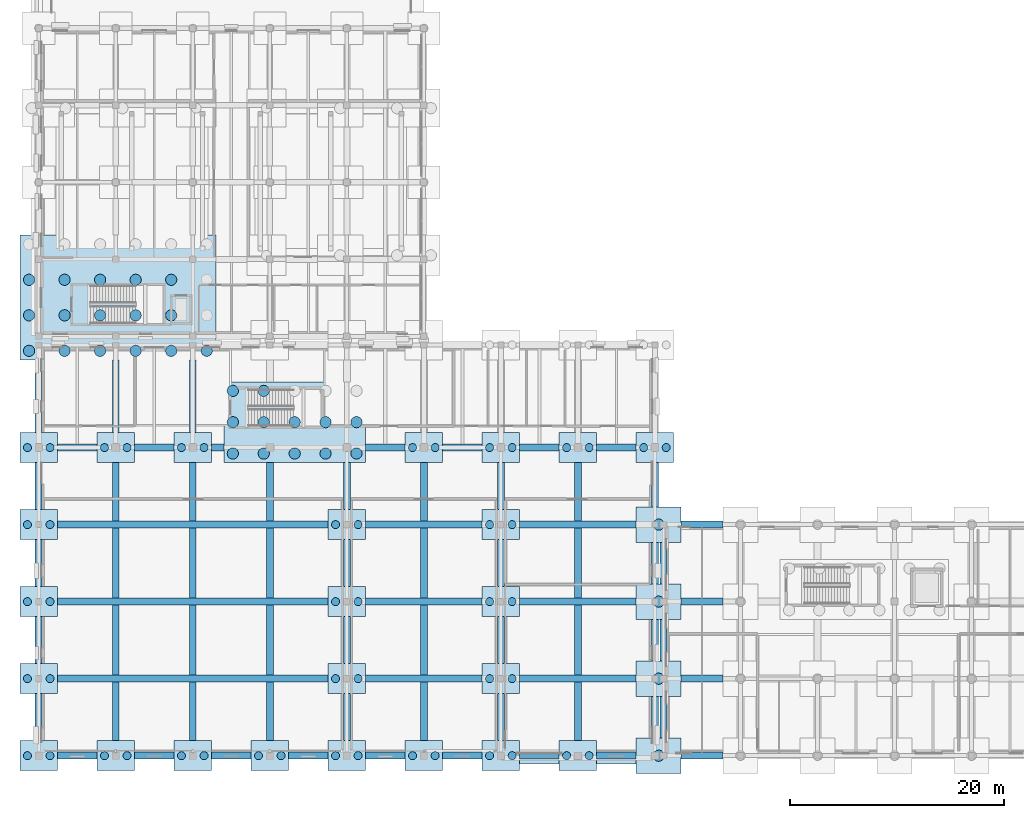
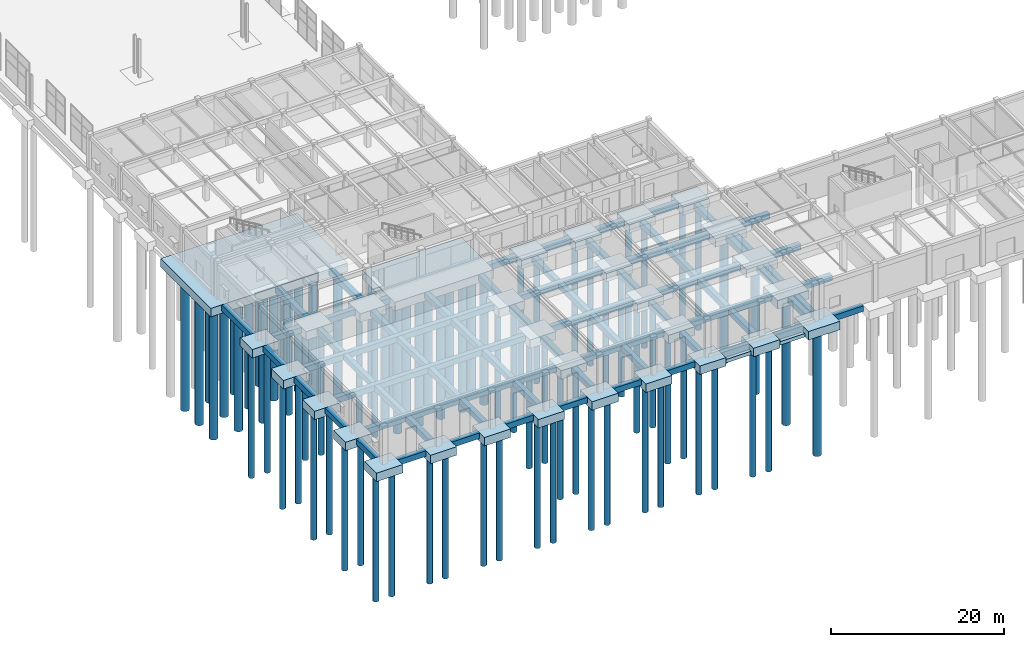
# One storey, part 1 of 91: 86 footings, 80 piles.
"""IFC4 building model written with IfcOpenShell, lengths in metres."""

from ifc_helpers import new_model, si_unit, direction, frame, origin, origin_2d, place, context, subcontext, project, spatial, rectangle, circle, extrude, material, material_profile, profile_set, type_object, element, save


model = new_model("IFC4")

# Units and contexts
model_context = context("Model", 3, precision=1e-05, world=origin(), true_north=direction((0.0, 1.0)))
body_context = subcontext(model_context, "Body", "Model", "MODEL_VIEW")
ifc_project = project(units=[si_unit("LENGTHUNIT", "METRE"), si_unit("AREAUNIT", "SQUARE_METRE"), si_unit("VOLUMEUNIT", "CUBIC_METRE"), si_unit("PLANEANGLEUNIT", "RADIAN"), si_unit("MASSUNIT", "GRAM", prefix="KILO")], contexts=[model_context])

# Site, building, storey
site_placement = place(None, origin())
site = spatial("IfcSite", under=ifc_project, at=site_placement, CompositionType="ELEMENT")
building_placement = place(site_placement, origin())
building = spatial("IfcBuilding", under=site, at=building_placement, Name="Bramveld Media Centre", CompositionType="ELEMENT")
storey_placement = place(building_placement, origin())
storey = spatial("IfcBuildingStorey", under=building, at=storey_placement, Name="L00", CompositionType="ELEMENT", Elevation=0.0)

# Footings
ifc_material_1 = material(Name="Concrete C35/45", Category="concrete")
footing_type_1 = type_object("IfcFootingType", Name="FTG-STRIP-1100x500", PredefinedType="STRIP_FOOTING", material=ifc_material_1)
footing_1_placement = place(storey_placement, frame((50.300048828125, -0.219970703125, -1.300048828125), z_axis=(0.0, 0.0, 1.0), x_axis=(1.0, 0.0, 0.0)))
element("IfcFooting", 1, at=footing_1_placement, inside=storey, type_object=footing_type_1, Name="Retaining wall strip footing RW-APRON-01", PredefinedType="STRIP_FOOTING", context=body_context, shape_type="SweptSolid", body=[
    extrude(rectangle(XDim=14.39990234375, YDim=1.10009765625, at=origin_2d()), origin(), (0.0, 0.0, 1.0), 0.5),
])
ifc_material_2 = material(Name="Concrete C35/45", Category="concrete")
footing_type_2 = type_object("IfcFootingType", Name="GB-650x800", PredefinedType="FOOTING_BEAM", material=ifc_material_2)
for number, where, z_axis, x_axis, name in (
    (2, (3.60009765625, 0.0, -0.7998046875), (0.0, 0.0, 1.0), (1.0, 0.0, 0.0), "V2 ground beam X-58"),
    (3, (10.800048828125, 0.0, -0.7998046875), (0.0, 0.0, 1.0), (1.0, 0.0, 0.0), "V2 ground beam X-59"),
    (4, (18.0, 0.0, -0.7998046875), (0.0, 0.0, 1.0), (1.0, 0.0, 0.0), "V2 ground beam X-60"),
    (5, (25.199951171875, 0.0, -0.7998046875), (0.0, 0.0, 1.0), (1.0, 0.0, 0.0), "V2 ground beam X-61"),
    (6, (32.39990234375, 0.0, -0.7998046875), (0.0, 0.0, 1.0), (1.0, 0.0, 0.0), "V2 ground beam X-62"),
    (7, (39.60009765625, 0.0, -0.7998046875), (0.0, 0.0, 1.0), (1.0, 0.0, 0.0), "V2 ground beam X-63"),
    (8, (46.800048828125, 0.0, -0.7998046875), (0.0, 0.0, 1.0), (1.0, 0.0, 0.0), "V2 ground beam X-64"),
    (9, (54.0, 0.0, -0.7998046875), (0.0, 0.0, 1.0), (1.0, 0.0, 0.0), "V2 ground beam X-65"),
):
    element("IfcFooting", number, at=place(storey_placement, frame(where, z_axis=z_axis, x_axis=x_axis)), inside=storey, type_object=footing_type_2, Name=name, PredefinedType="FOOTING_BEAM", context=body_context, shape_type="SweptSolid", body=[
        extrude(rectangle(XDim=3.699951171875, YDim=0.64990234375, at=origin_2d()), origin(), (0.0, 0.0, 1.0), 0.800048828125),
    ])
footing_2_placement = place(storey_placement, frame((14.39990234375, 7.199951171875, -0.7998046875), z_axis=(0.0, 0.0, 1.0), x_axis=(1.0, 0.0, 0.0)))
element("IfcFooting", 10, at=footing_2_placement, inside=storey, type_object=footing_type_2, Name="V2 ground beam X-66", PredefinedType="FOOTING_BEAM", context=body_context, shape_type="SweptSolid", body=[
    extrude(rectangle(XDim=25.300048828125, YDim=0.64990234375, at=origin_2d()), origin(), (0.0, 0.0, 1.0), 0.800048828125),
])
for number, where, z_axis, x_axis, name in (
    (11, (36.0, 7.199951171875, -0.7998046875), (0.0, 0.0, 1.0), (1.0, 0.0, 0.0), "V2 ground beam X-67"),
    (12, (50.39990234375, 7.199951171875, -0.7998046875), (0.0, 0.0, 1.0), (1.0, 0.0, 0.0), "V2 ground beam X-68"),
):
    element("IfcFooting", number, at=place(storey_placement, frame(where, z_axis=z_axis, x_axis=x_axis)), inside=storey, type_object=footing_type_2, Name=name, PredefinedType="FOOTING_BEAM", context=body_context, shape_type="SweptSolid", body=[
        extrude(rectangle(XDim=10.89990234375, YDim=0.64990234375, at=origin_2d()), origin(), (0.0, 0.0, 1.0), 0.800048828125),
    ])
footing_3_placement = place(storey_placement, frame((14.39990234375, 14.39990234375, -0.7998046875), z_axis=(0.0, 0.0, 1.0), x_axis=(1.0, 0.0, 0.0)))
element("IfcFooting", 13, at=footing_3_placement, inside=storey, type_object=footing_type_2, Name="V2 ground beam X-69", PredefinedType="FOOTING_BEAM", context=body_context, shape_type="SweptSolid", body=[
    extrude(rectangle(XDim=25.300048828125, YDim=0.64990234375, at=origin_2d()), origin(), (0.0, 0.0, 1.0), 0.800048828125),
])
for number, where, z_axis, x_axis, name in (
    (14, (36.0, 14.39990234375, -0.7998046875), (0.0, 0.0, 1.0), (1.0, 0.0, 0.0), "V2 ground beam X-70"),
    (15, (50.39990234375, 14.39990234375, -0.7998046875), (0.0, 0.0, 1.0), (1.0, 0.0, 0.0), "V2 ground beam X-71"),
):
    element("IfcFooting", number, at=place(storey_placement, frame(where, z_axis=z_axis, x_axis=x_axis)), inside=storey, type_object=footing_type_2, Name=name, PredefinedType="FOOTING_BEAM", context=body_context, shape_type="SweptSolid", body=[
        extrude(rectangle(XDim=10.89990234375, YDim=0.64990234375, at=origin_2d()), origin(), (0.0, 0.0, 1.0), 0.800048828125),
    ])
footing_4_placement = place(storey_placement, frame((14.39990234375, 21.60009765625, -0.7998046875), z_axis=(0.0, 0.0, 1.0), x_axis=(1.0, 0.0, 0.0)))
element("IfcFooting", 16, at=footing_4_placement, inside=storey, type_object=footing_type_2, Name="V2 ground beam X-72", PredefinedType="FOOTING_BEAM", context=body_context, shape_type="SweptSolid", body=[
    extrude(rectangle(XDim=25.300048828125, YDim=0.64990234375, at=origin_2d()), origin(), (0.0, 0.0, 1.0), 0.800048828125),
])
for number, where, z_axis, x_axis, name in (
    (17, (36.0, 21.60009765625, -0.7998046875), (0.0, 0.0, 1.0), (1.0, 0.0, 0.0), "V2 ground beam X-73"),
    (18, (50.39990234375, 21.60009765625, -0.7998046875), (0.0, 0.0, 1.0), (1.0, 0.0, 0.0), "V2 ground beam X-74"),
):
    element("IfcFooting", number, at=place(storey_placement, frame(where, z_axis=z_axis, x_axis=x_axis)), inside=storey, type_object=footing_type_2, Name=name, PredefinedType="FOOTING_BEAM", context=body_context, shape_type="SweptSolid", body=[
        extrude(rectangle(XDim=10.89990234375, YDim=0.64990234375, at=origin_2d()), origin(), (0.0, 0.0, 1.0), 0.800048828125),
    ])
for number, where, z_axis, x_axis, name in (
    (19, (3.60009765625, 28.800048828125, -0.7998046875), (0.0, 0.0, 1.0), (1.0, 0.0, 0.0), "V2 ground beam X-75"),
    (20, (10.800048828125, 28.800048828125, -0.7998046875), (0.0, 0.0, 1.0), (1.0, 0.0, 0.0), "V2 ground beam X-76"),
):
    element("IfcFooting", number, at=place(storey_placement, frame(where, z_axis=z_axis, x_axis=x_axis)), inside=storey, type_object=footing_type_2, Name=name, PredefinedType="FOOTING_BEAM", context=body_context, shape_type="SweptSolid", body=[
        extrude(rectangle(XDim=3.699951171875, YDim=0.64990234375, at=origin_2d()), origin(), (0.0, 0.0, 1.0), 0.800048828125),
    ])
footing_5_placement = place(storey_placement, frame((16.72509765625, 28.800048828125, -0.7998046875), z_axis=(0.0, 0.0, 1.0), x_axis=(1.0, 0.0, 0.0)))
element("IfcFooting", 21, at=footing_5_placement, inside=storey, type_object=footing_type_2, Name="V2 ground beam X-77", PredefinedType="FOOTING_BEAM", context=body_context, shape_type="SweptSolid", body=[
    extrude(rectangle(XDim=1.14990234375, YDim=0.64990234375, at=origin_2d()), origin(), (0.0, 0.0, 1.0), 0.800048828125),
])
for number, where, z_axis, x_axis, name in (
    (22, (32.39990234375, 28.800048828125, -0.7998046875), (0.0, 0.0, 1.0), (1.0, 0.0, 0.0), "V2 ground beam X-78"),
    (23, (39.60009765625, 28.800048828125, -0.7998046875), (0.0, 0.0, 1.0), (1.0, 0.0, 0.0), "V2 ground beam X-79"),
    (24, (46.800048828125, 28.800048828125, -0.7998046875), (0.0, 0.0, 1.0), (1.0, 0.0, 0.0), "V2 ground beam X-80"),
    (25, (54.0, 28.800048828125, -0.7998046875), (0.0, 0.0, 1.0), (1.0, 0.0, 0.0), "V2 ground beam X-81"),
):
    element("IfcFooting", number, at=place(storey_placement, frame(where, z_axis=z_axis, x_axis=x_axis)), inside=storey, type_object=footing_type_2, Name=name, PredefinedType="FOOTING_BEAM", context=body_context, shape_type="SweptSolid", body=[
        extrude(rectangle(XDim=3.699951171875, YDim=0.64990234375, at=origin_2d()), origin(), (0.0, 0.0, 1.0), 0.800048828125),
    ])
for number, where, z_axis, x_axis, name in (
    (26, (0.0, 3.60009765625, -0.7998046875), (0.0, 0.0, 1.0), (1.0, 0.0, 0.0), "V2 ground beam Y-88"),
    (27, (0.0, 10.800048828125, -0.7998046875), (0.0, 0.0, 1.0), (1.0, 0.0, 0.0), "V2 ground beam Y-89"),
    (28, (0.0, 18.0, -0.7998046875), (0.0, 0.0, 1.0), (1.0, 0.0, 0.0), "V2 ground beam Y-90"),
    (29, (0.0, 25.199951171875, -0.7998046875), (0.0, 0.0, 1.0), (1.0, 0.0, 0.0), "V2 ground beam Y-91"),
):
    element("IfcFooting", number, at=place(storey_placement, frame(where, z_axis=z_axis, x_axis=x_axis)), inside=storey, type_object=footing_type_2, Name=name, PredefinedType="FOOTING_BEAM", context=body_context, shape_type="SweptSolid", body=[
        extrude(rectangle(XDim=0.64990234375, YDim=4.39990234375, at=origin_2d()), origin(), (0.0, 0.0, 1.0), 0.800048828125),
    ])
footing_6_placement = place(storey_placement, frame((0.0, 33.60009765625, -0.7998046875), z_axis=(0.0, 0.0, 1.0), x_axis=(1.0, 0.0, 0.0)))
element("IfcFooting", 30, at=footing_6_placement, inside=storey, type_object=footing_type_2, Name="V2 ground beam Y-92", PredefinedType="FOOTING_BEAM", context=body_context, shape_type="SweptSolid", body=[
    extrude(rectangle(XDim=0.64990234375, YDim=6.800048828125, at=origin_2d()), origin(), (0.0, 0.0, 1.0), 0.800048828125),
])
footing_7_placement = place(storey_placement, frame((7.199951171875, 14.39990234375, -0.7998046875), z_axis=(0.0, 0.0, 1.0), x_axis=(1.0, 0.0, 0.0)))
element("IfcFooting", 31, at=footing_7_placement, inside=storey, type_object=footing_type_2, Name="V2 ground beam Y-93", PredefinedType="FOOTING_BEAM", context=body_context, shape_type="SweptSolid", body=[
    extrude(rectangle(XDim=0.64990234375, YDim=26.0, at=origin_2d()), origin(), (0.0, 0.0, 1.0), 0.800048828125),
])
footing_8_placement = place(storey_placement, frame((7.199951171875, 33.60009765625, -0.7998046875), z_axis=(0.0, 0.0, 1.0), x_axis=(1.0, 0.0, 0.0)))
element("IfcFooting", 32, at=footing_8_placement, inside=storey, type_object=footing_type_2, Name="V2 ground beam Y-94", PredefinedType="FOOTING_BEAM", context=body_context, shape_type="SweptSolid", body=[
    extrude(rectangle(XDim=0.64990234375, YDim=6.800048828125, at=origin_2d()), origin(), (0.0, 0.0, 1.0), 0.800048828125),
])
footing_9_placement = place(storey_placement, frame((14.39990234375, 14.39990234375, -0.7998046875), z_axis=(0.0, 0.0, 1.0), x_axis=(1.0, 0.0, 0.0)))
element("IfcFooting", 33, at=footing_9_placement, inside=storey, type_object=footing_type_2, Name="V2 ground beam Y-95", PredefinedType="FOOTING_BEAM", context=body_context, shape_type="SweptSolid", body=[
    extrude(rectangle(XDim=0.64990234375, YDim=26.0, at=origin_2d()), origin(), (0.0, 0.0, 1.0), 0.800048828125),
])
footing_10_placement = place(storey_placement, frame((14.39990234375, 33.60009765625, -0.7998046875), z_axis=(0.0, 0.0, 1.0), x_axis=(1.0, 0.0, 0.0)))
element("IfcFooting", 34, at=footing_10_placement, inside=storey, type_object=footing_type_2, Name="V2 ground beam Y-96", PredefinedType="FOOTING_BEAM", context=body_context, shape_type="SweptSolid", body=[
    extrude(rectangle(XDim=0.64990234375, YDim=6.800048828125, at=origin_2d()), origin(), (0.0, 0.0, 1.0), 0.800048828125),
])
footing_11_placement = place(storey_placement, frame((21.60009765625, 14.39990234375, -0.7998046875), z_axis=(0.0, 0.0, 1.0), x_axis=(1.0, 0.0, 0.0)))
element("IfcFooting", 35, at=footing_11_placement, inside=storey, type_object=footing_type_2, Name="V2 ground beam Y-97", PredefinedType="FOOTING_BEAM", context=body_context, shape_type="SweptSolid", body=[
    extrude(rectangle(XDim=0.64990234375, YDim=26.0, at=origin_2d()), origin(), (0.0, 0.0, 1.0), 0.800048828125),
])
for number, where, z_axis, x_axis, name in (
    (36, (28.800048828125, 3.60009765625, -0.7998046875), (0.0, 0.0, 1.0), (1.0, 0.0, 0.0), "V2 ground beam Y-99"),
    (37, (28.800048828125, 10.800048828125, -0.7998046875), (0.0, 0.0, 1.0), (1.0, 0.0, 0.0), "V2 ground beam Y-100"),
    (38, (28.800048828125, 18.0, -0.7998046875), (0.0, 0.0, 1.0), (1.0, 0.0, 0.0), "V2 ground beam Y-101"),
    (39, (28.800048828125, 25.199951171875, -0.7998046875), (0.0, 0.0, 1.0), (1.0, 0.0, 0.0), "V2 ground beam Y-102"),
):
    element("IfcFooting", number, at=place(storey_placement, frame(where, z_axis=z_axis, x_axis=x_axis)), inside=storey, type_object=footing_type_2, Name=name, PredefinedType="FOOTING_BEAM", context=body_context, shape_type="SweptSolid", body=[
        extrude(rectangle(XDim=0.64990234375, YDim=4.39990234375, at=origin_2d()), origin(), (0.0, 0.0, 1.0), 0.800048828125),
    ])
footing_12_placement = place(storey_placement, frame((36.0, 14.39990234375, -0.7998046875), z_axis=(0.0, 0.0, 1.0), x_axis=(1.0, 0.0, 0.0)))
element("IfcFooting", 40, at=footing_12_placement, inside=storey, type_object=footing_type_2, Name="V2 ground beam Y-104", PredefinedType="FOOTING_BEAM", context=body_context, shape_type="SweptSolid", body=[
    extrude(rectangle(XDim=0.64990234375, YDim=26.0, at=origin_2d()), origin(), (0.0, 0.0, 1.0), 0.800048828125),
])
for number, where, z_axis, x_axis, name in (
    (41, (43.199951171875, 3.60009765625, -0.7998046875), (0.0, 0.0, 1.0), (1.0, 0.0, 0.0), "V2 ground beam Y-106"),
    (42, (43.199951171875, 10.800048828125, -0.7998046875), (0.0, 0.0, 1.0), (1.0, 0.0, 0.0), "V2 ground beam Y-107"),
    (43, (43.199951171875, 18.0, -0.7998046875), (0.0, 0.0, 1.0), (1.0, 0.0, 0.0), "V2 ground beam Y-108"),
    (44, (43.199951171875, 25.199951171875, -0.7998046875), (0.0, 0.0, 1.0), (1.0, 0.0, 0.0), "V2 ground beam Y-109"),
):
    element("IfcFooting", number, at=place(storey_placement, frame(where, z_axis=z_axis, x_axis=x_axis)), inside=storey, type_object=footing_type_2, Name=name, PredefinedType="FOOTING_BEAM", context=body_context, shape_type="SweptSolid", body=[
        extrude(rectangle(XDim=0.64990234375, YDim=4.39990234375, at=origin_2d()), origin(), (0.0, 0.0, 1.0), 0.800048828125),
    ])
footing_13_placement = place(storey_placement, frame((50.39990234375, 14.39990234375, -0.7998046875), z_axis=(0.0, 0.0, 1.0), x_axis=(1.0, 0.0, 0.0)))
element("IfcFooting", 45, at=footing_13_placement, inside=storey, type_object=footing_type_2, Name="V2 ground beam Y-111", PredefinedType="FOOTING_BEAM", context=body_context, shape_type="SweptSolid", body=[
    extrude(rectangle(XDim=0.64990234375, YDim=26.0, at=origin_2d()), origin(), (0.0, 0.0, 1.0), 0.800048828125),
])
for number, where, z_axis, x_axis, name in (
    (46, (57.60009765625, 3.60009765625, -0.7998046875), (0.0, 0.0, 1.0), (1.0, 0.0, 0.0), "V2 ground beam Y-113"),
    (47, (57.60009765625, 10.800048828125, -0.7998046875), (0.0, 0.0, 1.0), (1.0, 0.0, 0.0), "V2 ground beam Y-114"),
    (48, (57.60009765625, 18.0, -0.7998046875), (0.0, 0.0, 1.0), (1.0, 0.0, 0.0), "V2 ground beam Y-115"),
):
    element("IfcFooting", number, at=place(storey_placement, frame(where, z_axis=z_axis, x_axis=x_axis)), inside=storey, type_object=footing_type_2, Name=name, PredefinedType="FOOTING_BEAM", context=body_context, shape_type="SweptSolid", body=[
        extrude(rectangle(XDim=0.64990234375, YDim=3.89990234375, at=origin_2d()), origin(), (0.0, 0.0, 1.0), 0.800048828125),
    ])
footing_14_placement = place(storey_placement, frame((57.60009765625, 25.324951171875, -0.7998046875), z_axis=(0.0, 0.0, 1.0), x_axis=(1.0, 0.0, 0.0)))
element("IfcFooting", 49, at=footing_14_placement, inside=storey, type_object=footing_type_2, Name="V2 ground beam Y-116", PredefinedType="FOOTING_BEAM", context=body_context, shape_type="SweptSolid", body=[
    extrude(rectangle(XDim=0.64990234375, YDim=4.14990234375, at=origin_2d()), origin(), (0.0, 0.0, 1.0), 0.800048828125),
])
for number, where, z_axis, x_axis, name in (
    (50, (62.0, 0.0, -0.7998046875), (0.0, 0.0, 1.0), (1.0, 0.0, 0.0), "V5 ground beam X-206"),
    (51, (62.0, 7.199951171875, -0.7998046875), (0.0, 0.0, 1.0), (1.0, 0.0, 0.0), "V5 ground beam X-213"),
    (52, (62.0, 14.39990234375, -0.7998046875), (0.0, 0.0, 1.0), (1.0, 0.0, 0.0), "V5 ground beam X-220"),
    (53, (62.0, 21.60009765625, -0.7998046875), (0.0, 0.0, 1.0), (1.0, 0.0, 0.0), "V5 ground beam X-225"),
):
    element("IfcFooting", number, at=place(storey_placement, frame(where, z_axis=z_axis, x_axis=x_axis)), inside=storey, type_object=footing_type_2, Name=name, PredefinedType="FOOTING_BEAM", context=body_context, shape_type="SweptSolid", body=[
        extrude(rectangle(XDim=3.89990234375, YDim=0.64990234375, at=origin_2d()), origin(), (0.0, 0.0, 1.0), 0.800048828125),
    ])
for number, where, z_axis, x_axis, name in (
    (54, (58.39990234375, 3.60009765625, -0.7998046875), (0.0, 0.0, 1.0), (1.0, 0.0, 0.0), "V5 ground beam Y-232"),
    (55, (58.39990234375, 10.800048828125, -0.7998046875), (0.0, 0.0, 1.0), (1.0, 0.0, 0.0), "V5 ground beam Y-233"),
    (56, (58.39990234375, 18.0, -0.7998046875), (0.0, 0.0, 1.0), (1.0, 0.0, 0.0), "V5 ground beam Y-234"),
):
    element("IfcFooting", number, at=place(storey_placement, frame(where, z_axis=z_axis, x_axis=x_axis)), inside=storey, type_object=footing_type_2, Name=name, PredefinedType="FOOTING_BEAM", context=body_context, shape_type="SweptSolid", body=[
        extrude(rectangle(XDim=0.64990234375, YDim=3.89990234375, at=origin_2d()), origin(), (0.0, 0.0, 1.0), 0.800048828125),
    ])
ifc_material_3 = material(Name="Concrete C35/45", Category="concrete")
footing_type_3 = type_object("IfcFootingType", Name="PC-1325x755x1200", PredefinedType="PILE_CAP", material=ifc_material_3)
footing_15_placement = place(storey_placement, frame((23.925048828125, 31.175048828125, -1.2001953125), z_axis=(0.0, 0.0, 1.0), x_axis=(1.0, 0.0, 0.0)))
element("IfcFooting", 57, at=footing_15_placement, inside=storey, type_object=footing_type_3, Name="Reinforced concrete pile cap 25", PredefinedType="PILE_CAP", context=body_context, shape_type="SweptSolid", body=[
    extrude(rectangle(XDim=13.25, YDim=7.550048828125, at=origin_2d()), origin(), (0.0, 0.0, 1.0), 1.199951171875),
])
ifc_material_4 = material(Name="Concrete C35/45", Category="concrete")
footing_type_4 = type_object("IfcFootingType", Name="PC-1830x1165x1200", PredefinedType="PILE_CAP", material=ifc_material_4)
footing_16_placement = place(storey_placement, frame((7.39990234375, 42.824951171875, -1.2001953125), z_axis=(0.0, 0.0, 1.0), x_axis=(1.0, 0.0, 0.0)))
element("IfcFooting", 58, at=footing_16_placement, inside=storey, type_object=footing_type_4, Name="Reinforced concrete pile cap 6", PredefinedType="PILE_CAP", context=body_context, shape_type="SweptSolid", body=[
    extrude(rectangle(XDim=18.300048828125, YDim=11.64990234375, at=origin_2d()), origin(), (0.0, 0.0, 1.0), 1.199951171875),
])
ifc_material_5 = material(Name="Concrete C35/45", Category="concrete")
footing_type_5 = type_object("IfcFootingType", Name="PC-350x280x1200", PredefinedType="PILE_CAP", material=ifc_material_5)
for number, where, z_axis, x_axis, name in (
    (59, (0.0, 0.0, -1.2001953125), (0.0, 0.0, 1.0), (1.0, 0.0, 0.0), "Reinforced concrete pile cap 1"),
    (60, (0.0, 7.199951171875, -1.2001953125), (0.0, 0.0, 1.0), (1.0, 0.0, 0.0), "Reinforced concrete pile cap 2"),
    (61, (0.0, 14.39990234375, -1.2001953125), (0.0, 0.0, 1.0), (1.0, 0.0, 0.0), "Reinforced concrete pile cap 3"),
    (62, (0.0, 21.60009765625, -1.2001953125), (0.0, 0.0, 1.0), (1.0, 0.0, 0.0), "Reinforced concrete pile cap 4"),
    (63, (0.0, 28.800048828125, -1.2001953125), (0.0, 0.0, 1.0), (1.0, 0.0, 0.0), "Reinforced concrete pile cap 5"),
    (64, (7.199951171875, 0.0, -1.2001953125), (0.0, 0.0, 1.0), (1.0, 0.0, 0.0), "Reinforced concrete pile cap 13"),
    (65, (7.199951171875, 28.800048828125, -1.2001953125), (0.0, 0.0, 1.0), (1.0, 0.0, 0.0), "Reinforced concrete pile cap 14"),
    (66, (14.39990234375, 0.0, -1.2001953125), (0.0, 0.0, 1.0), (1.0, 0.0, 0.0), "Reinforced concrete pile cap 18"),
    (67, (14.39990234375, 28.800048828125, -1.2001953125), (0.0, 0.0, 1.0), (1.0, 0.0, 0.0), "Reinforced concrete pile cap 19"),
    (68, (21.60009765625, 0.0, -1.2001953125), (0.0, 0.0, 1.0), (1.0, 0.0, 0.0), "Reinforced concrete pile cap 28"),
    (69, (28.800048828125, 0.0, -1.2001953125), (0.0, 0.0, 1.0), (1.0, 0.0, 0.0), "Reinforced concrete pile cap 34"),
    (70, (28.800048828125, 7.199951171875, -1.2001953125), (0.0, 0.0, 1.0), (1.0, 0.0, 0.0), "Reinforced concrete pile cap 35"),
    (71, (28.800048828125, 14.39990234375, -1.2001953125), (0.0, 0.0, 1.0), (1.0, 0.0, 0.0), "Reinforced concrete pile cap 36"),
    (72, (28.800048828125, 21.60009765625, -1.2001953125), (0.0, 0.0, 1.0), (1.0, 0.0, 0.0), "Reinforced concrete pile cap 37"),
    (73, (36.0, 0.0, -1.2001953125), (0.0, 0.0, 1.0), (1.0, 0.0, 0.0), "Reinforced concrete pile cap 45"),
    (74, (36.0, 28.800048828125, -1.2001953125), (0.0, 0.0, 1.0), (1.0, 0.0, 0.0), "Reinforced concrete pile cap 46"),
    (75, (43.199951171875, 0.0, -1.2001953125), (0.0, 0.0, 1.0), (1.0, 0.0, 0.0), "Reinforced concrete pile cap 53"),
    (76, (43.199951171875, 7.199951171875, -1.2001953125), (0.0, 0.0, 1.0), (1.0, 0.0, 0.0), "Reinforced concrete pile cap 54"),
    (77, (43.199951171875, 14.39990234375, -1.2001953125), (0.0, 0.0, 1.0), (1.0, 0.0, 0.0), "Reinforced concrete pile cap 55"),
    (78, (43.199951171875, 21.60009765625, -1.2001953125), (0.0, 0.0, 1.0), (1.0, 0.0, 0.0), "Reinforced concrete pile cap 56"),
    (79, (43.199951171875, 28.800048828125, -1.2001953125), (0.0, 0.0, 1.0), (1.0, 0.0, 0.0), "Reinforced concrete pile cap 57"),
    (80, (50.39990234375, 0.0, -1.2001953125), (0.0, 0.0, 1.0), (1.0, 0.0, 0.0), "Reinforced concrete pile cap 59"),
    (81, (50.39990234375, 28.800048828125, -1.2001953125), (0.0, 0.0, 1.0), (1.0, 0.0, 0.0), "Reinforced concrete pile cap 60"),
    (82, (57.60009765625, 28.800048828125, -1.2001953125), (0.0, 0.0, 1.0), (1.0, 0.0, 0.0), "Reinforced concrete pile cap 66"),
):
    element("IfcFooting", number, at=place(storey_placement, frame(where, z_axis=z_axis, x_axis=x_axis)), inside=storey, type_object=footing_type_5, Name=name, PredefinedType="PILE_CAP", context=body_context, shape_type="SweptSolid", body=[
        extrude(rectangle(XDim=3.5, YDim=2.800048828125, at=origin_2d()), origin(), (0.0, 0.0, 1.0), 1.199951171875),
    ])
ifc_material_6 = material(Name="Concrete C35/45", Category="concrete")
footing_type_6 = type_object("IfcFootingType", Name="PC-420x330x1200", PredefinedType="PILE_CAP", material=ifc_material_6)
for number, where, z_axis, x_axis, name in (
    (83, (57.949951171875, 0.0, -1.2001953125), (0.0, 0.0, 1.0), (1.0, 0.0, 0.0), "Reinforced concrete pile cap 62"),
    (84, (57.949951171875, 7.199951171875, -1.2001953125), (0.0, 0.0, 1.0), (1.0, 0.0, 0.0), "Reinforced concrete pile cap 63"),
    (85, (57.949951171875, 14.39990234375, -1.2001953125), (0.0, 0.0, 1.0), (1.0, 0.0, 0.0), "Reinforced concrete pile cap 64"),
    (86, (57.949951171875, 21.60009765625, -1.2001953125), (0.0, 0.0, 1.0), (1.0, 0.0, 0.0), "Reinforced concrete pile cap 65"),
):
    element("IfcFooting", number, at=place(storey_placement, frame(where, z_axis=z_axis, x_axis=x_axis)), inside=storey, type_object=footing_type_6, Name=name, PredefinedType="PILE_CAP", context=body_context, shape_type="SweptSolid", body=[
        extrude(rectangle(XDim=4.199951171875, YDim=3.300048828125, at=origin_2d()), origin(), (0.0, 0.0, 1.0), 1.199951171875),
    ])

# Piles
ifc_material_7 = material(Name="Concrete C35/45", Category="concrete")
ifc_material_profile_1 = material_profile(ifc_material_7, circle(Radius=0.52490234375, at=origin_2d()), Name="BORED D1050")
ifc_profile_set_1 = profile_set([ifc_material_profile_1], Name="Concrete C35/45")
pile_type_1 = type_object("IfcPileType", Name="PILE-BORED-D1050", PredefinedType="BORED", material=ifc_profile_set_1)
for number, where, z_axis, x_axis, name in (
    (87, (-0.905029296875, 37.844970703125, -1.050048828125), (0.0, 0.0, -1.0), (1.0, 0.0, 0.0), "Bored pile 11"),
    (88, (-0.905029296875, 41.1650390625, -1.050048828125), (0.0, 0.0, -1.0), (1.0, 0.0, 0.0), "Bored pile 12"),
    (89, (-0.905029296875, 44.485107421875, -1.050048828125), (0.0, 0.0, -1.0), (1.0, 0.0, 0.0), "Bored pile 13"),
    (90, (2.4169921875, 37.844970703125, -1.050048828125), (0.0, 0.0, -1.0), (1.0, 0.0, 0.0), "Bored pile 15"),
    (91, (2.4169921875, 41.1650390625, -1.050048828125), (0.0, 0.0, -1.0), (1.0, 0.0, 0.0), "Bored pile 16"),
    (92, (2.4169921875, 44.485107421875, -1.050048828125), (0.0, 0.0, -1.0), (1.0, 0.0, 0.0), "Bored pile 17"),
    (93, (5.739013671875, 37.844970703125, -1.050048828125), (0.0, 0.0, -1.0), (1.0, 0.0, 0.0), "Bored pile 19"),
    (94, (5.739013671875, 41.1650390625, -1.050048828125), (0.0, 0.0, -1.0), (1.0, 0.0, 0.0), "Bored pile 20"),
    (95, (5.739013671875, 44.485107421875, -1.050048828125), (0.0, 0.0, -1.0), (1.0, 0.0, 0.0), "Bored pile 21"),
    (96, (9.06103515625, 37.844970703125, -1.050048828125), (0.0, 0.0, -1.0), (1.0, 0.0, 0.0), "Bored pile 23"),
    (97, (9.06103515625, 41.1650390625, -1.050048828125), (0.0, 0.0, -1.0), (1.0, 0.0, 0.0), "Bored pile 24"),
    (98, (9.06103515625, 44.485107421875, -1.050048828125), (0.0, 0.0, -1.0), (1.0, 0.0, 0.0), "Bored pile 25"),
    (99, (12.383056640625, 37.844970703125, -1.050048828125), (0.0, 0.0, -1.0), (1.0, 0.0, 0.0), "Bored pile 27"),
    (100, (12.383056640625, 41.1650390625, -1.050048828125), (0.0, 0.0, -1.0), (1.0, 0.0, 0.0), "Bored pile 28"),
    (101, (12.383056640625, 44.485107421875, -1.050048828125), (0.0, 0.0, -1.0), (1.0, 0.0, 0.0), "Bored pile 29"),
    (102, (15.705078125, 37.844970703125, -1.050048828125), (0.0, 0.0, -1.0), (1.0, 0.0, 0.0), "Bored pile 31"),
    (103, (18.14501953125, 28.2451171875, -1.050048828125), (0.0, 0.0, -1.0), (1.0, 0.0, 0.0), "Bored pile 60"),
    (104, (18.14501953125, 31.175048828125, -1.050048828125), (0.0, 0.0, -1.0), (1.0, 0.0, 0.0), "Bored pile 61"),
    (105, (18.14501953125, 34.10498046875, -1.050048828125), (0.0, 0.0, -1.0), (1.0, 0.0, 0.0), "Bored pile 62"),
    (106, (21.034912109375, 28.2451171875, -1.050048828125), (0.0, 0.0, -1.0), (1.0, 0.0, 0.0), "Bored pile 63"),
    (107, (21.034912109375, 31.175048828125, -1.050048828125), (0.0, 0.0, -1.0), (1.0, 0.0, 0.0), "Bored pile 64"),
    (108, (21.034912109375, 34.10498046875, -1.050048828125), (0.0, 0.0, -1.0), (1.0, 0.0, 0.0), "Bored pile 65"),
    (109, (23.925048828125, 28.2451171875, -1.050048828125), (0.0, 0.0, -1.0), (1.0, 0.0, 0.0), "Bored pile 66"),
    (110, (23.925048828125, 31.175048828125, -1.050048828125), (0.0, 0.0, -1.0), (1.0, 0.0, 0.0), "Bored pile 67"),
    (111, (26.81494140625, 28.2451171875, -1.050048828125), (0.0, 0.0, -1.0), (1.0, 0.0, 0.0), "Bored pile 69"),
    (112, (26.81494140625, 31.175048828125, -1.050048828125), (0.0, 0.0, -1.0), (1.0, 0.0, 0.0), "Bored pile 70"),
    (113, (29.705078125, 28.2451171875, -1.050048828125), (0.0, 0.0, -1.0), (1.0, 0.0, 0.0), "Bored pile 72"),
    (114, (29.705078125, 31.175048828125, -1.050048828125), (0.0, 0.0, -1.0), (1.0, 0.0, 0.0), "Bored pile 73"),
    (115, (57.949951171875, 0.0, -1.050048828125), (0.0, 0.0, -1.0), (1.0, 0.0, 0.0), "Bored pile 131"),
    (116, (57.949951171875, 7.199951171875, -1.050048828125), (0.0, 0.0, -1.0), (1.0, 0.0, 0.0), "Bored pile 132"),
    (117, (57.949951171875, 14.39990234375, -1.050048828125), (0.0, 0.0, -1.0), (1.0, 0.0, 0.0), "Bored pile 133"),
    (118, (57.949951171875, 21.60009765625, -1.050048828125), (0.0, 0.0, -1.0), (1.0, 0.0, 0.0), "Bored pile 134"),
):
    element("IfcPile", number, at=place(storey_placement, frame(where, z_axis=z_axis, x_axis=x_axis)), inside=storey, type_object=pile_type_1, Name=name, PredefinedType="BORED", context=body_context, shape_type="SweptSolid", body=[
        extrude(circle(Radius=0.52490234375, at=origin_2d()), origin(), (0.0, 0.0, 1.0), 18.0),
    ])
ifc_material_8 = material(Name="Concrete C35/45", Category="concrete")
ifc_material_profile_2 = material_profile(ifc_material_8, circle(Radius=0.375, at=origin_2d()), Name="BORED D750")
ifc_profile_set_2 = profile_set([ifc_material_profile_2], Name="Concrete C35/45")
pile_type_2 = type_object("IfcPileType", Name="PILE-BORED-D750", PredefinedType="BORED", material=ifc_profile_set_2)
for number, where, z_axis, x_axis, name in (
    (119, (-1.054931640625, 0.0, -1.050048828125), (0.0, 0.0, -1.0), (1.0, 0.0, 0.0), "Bored pile 1"),
    (120, (1.054931640625, 0.0, -1.050048828125), (0.0, 0.0, -1.0), (1.0, 0.0, 0.0), "Bored pile 2"),
    (121, (-1.054931640625, 7.199951171875, -1.050048828125), (0.0, 0.0, -1.0), (1.0, 0.0, 0.0), "Bored pile 3"),
    (122, (1.054931640625, 7.199951171875, -1.050048828125), (0.0, 0.0, -1.0), (1.0, 0.0, 0.0), "Bored pile 4"),
    (123, (-1.054931640625, 14.39990234375, -1.050048828125), (0.0, 0.0, -1.0), (1.0, 0.0, 0.0), "Bored pile 5"),
    (124, (1.054931640625, 14.39990234375, -1.050048828125), (0.0, 0.0, -1.0), (1.0, 0.0, 0.0), "Bored pile 6"),
    (125, (-1.054931640625, 21.60009765625, -1.050048828125), (0.0, 0.0, -1.0), (1.0, 0.0, 0.0), "Bored pile 7"),
    (126, (1.054931640625, 21.60009765625, -1.050048828125), (0.0, 0.0, -1.0), (1.0, 0.0, 0.0), "Bored pile 8"),
    (127, (-1.054931640625, 28.800048828125, -1.050048828125), (0.0, 0.0, -1.0), (1.0, 0.0, 0.0), "Bored pile 9"),
    (128, (1.054931640625, 28.800048828125, -1.050048828125), (0.0, 0.0, -1.0), (1.0, 0.0, 0.0), "Bored pile 10"),
    (129, (6.14501953125, 0.0, -1.050048828125), (0.0, 0.0, -1.0), (1.0, 0.0, 0.0), "Bored pile 43"),
    (130, (8.2548828125, 0.0, -1.050048828125), (0.0, 0.0, -1.0), (1.0, 0.0, 0.0), "Bored pile 44"),
    (131, (6.14501953125, 28.800048828125, -1.050048828125), (0.0, 0.0, -1.0), (1.0, 0.0, 0.0), "Bored pile 45"),
    (132, (8.2548828125, 28.800048828125, -1.050048828125), (0.0, 0.0, -1.0), (1.0, 0.0, 0.0), "Bored pile 46"),
    (133, (13.344970703125, 0.0, -1.050048828125), (0.0, 0.0, -1.0), (1.0, 0.0, 0.0), "Bored pile 50"),
    (134, (15.455078125, 0.0, -1.050048828125), (0.0, 0.0, -1.0), (1.0, 0.0, 0.0), "Bored pile 51"),
    (135, (13.344970703125, 28.800048828125, -1.050048828125), (0.0, 0.0, -1.0), (1.0, 0.0, 0.0), "Bored pile 52"),
    (136, (15.455078125, 28.800048828125, -1.050048828125), (0.0, 0.0, -1.0), (1.0, 0.0, 0.0), "Bored pile 53"),
    (137, (20.544921875, 0.0, -1.050048828125), (0.0, 0.0, -1.0), (1.0, 0.0, 0.0), "Bored pile 77"),
    (138, (22.655029296875, 0.0, -1.050048828125), (0.0, 0.0, -1.0), (1.0, 0.0, 0.0), "Bored pile 78"),
    (139, (27.7451171875, 0.0, -1.050048828125), (0.0, 0.0, -1.0), (1.0, 0.0, 0.0), "Bored pile 84"),
    (140, (29.85498046875, 0.0, -1.050048828125), (0.0, 0.0, -1.0), (1.0, 0.0, 0.0), "Bored pile 85"),
    (141, (27.7451171875, 7.199951171875, -1.050048828125), (0.0, 0.0, -1.0), (1.0, 0.0, 0.0), "Bored pile 86"),
    (142, (29.85498046875, 7.199951171875, -1.050048828125), (0.0, 0.0, -1.0), (1.0, 0.0, 0.0), "Bored pile 87"),
    (143, (27.7451171875, 14.39990234375, -1.050048828125), (0.0, 0.0, -1.0), (1.0, 0.0, 0.0), "Bored pile 88"),
    (144, (29.85498046875, 14.39990234375, -1.050048828125), (0.0, 0.0, -1.0), (1.0, 0.0, 0.0), "Bored pile 89"),
    (145, (27.7451171875, 21.60009765625, -1.050048828125), (0.0, 0.0, -1.0), (1.0, 0.0, 0.0), "Bored pile 90"),
    (146, (29.85498046875, 21.60009765625, -1.050048828125), (0.0, 0.0, -1.0), (1.0, 0.0, 0.0), "Bored pile 91"),
    (147, (34.945068359375, 0.0, -1.050048828125), (0.0, 0.0, -1.0), (1.0, 0.0, 0.0), "Bored pile 102"),
    (148, (37.054931640625, 0.0, -1.050048828125), (0.0, 0.0, -1.0), (1.0, 0.0, 0.0), "Bored pile 103"),
    (149, (34.945068359375, 28.800048828125, -1.050048828125), (0.0, 0.0, -1.0), (1.0, 0.0, 0.0), "Bored pile 104"),
    (150, (37.054931640625, 28.800048828125, -1.050048828125), (0.0, 0.0, -1.0), (1.0, 0.0, 0.0), "Bored pile 105"),
    (151, (42.14501953125, 0.0, -1.050048828125), (0.0, 0.0, -1.0), (1.0, 0.0, 0.0), "Bored pile 113"),
    (152, (44.2548828125, 0.0, -1.050048828125), (0.0, 0.0, -1.0), (1.0, 0.0, 0.0), "Bored pile 114"),
    (153, (42.14501953125, 7.199951171875, -1.050048828125), (0.0, 0.0, -1.0), (1.0, 0.0, 0.0), "Bored pile 115"),
    (154, (44.2548828125, 7.199951171875, -1.050048828125), (0.0, 0.0, -1.0), (1.0, 0.0, 0.0), "Bored pile 116"),
    (155, (42.14501953125, 14.39990234375, -1.050048828125), (0.0, 0.0, -1.0), (1.0, 0.0, 0.0), "Bored pile 117"),
    (156, (44.2548828125, 14.39990234375, -1.050048828125), (0.0, 0.0, -1.0), (1.0, 0.0, 0.0), "Bored pile 118"),
    (157, (42.14501953125, 21.60009765625, -1.050048828125), (0.0, 0.0, -1.0), (1.0, 0.0, 0.0), "Bored pile 119"),
    (158, (44.2548828125, 21.60009765625, -1.050048828125), (0.0, 0.0, -1.0), (1.0, 0.0, 0.0), "Bored pile 120"),
    (159, (42.14501953125, 28.800048828125, -1.050048828125), (0.0, 0.0, -1.0), (1.0, 0.0, 0.0), "Bored pile 121"),
    (160, (44.2548828125, 28.800048828125, -1.050048828125), (0.0, 0.0, -1.0), (1.0, 0.0, 0.0), "Bored pile 122"),
    (161, (49.344970703125, 0.0, -1.050048828125), (0.0, 0.0, -1.0), (1.0, 0.0, 0.0), "Bored pile 125"),
    (162, (51.455078125, 0.0, -1.050048828125), (0.0, 0.0, -1.0), (1.0, 0.0, 0.0), "Bored pile 126"),
    (163, (49.344970703125, 28.800048828125, -1.050048828125), (0.0, 0.0, -1.0), (1.0, 0.0, 0.0), "Bored pile 127"),
    (164, (51.455078125, 28.800048828125, -1.050048828125), (0.0, 0.0, -1.0), (1.0, 0.0, 0.0), "Bored pile 128"),
    (165, (56.544921875, 28.800048828125, -1.050048828125), (0.0, 0.0, -1.0), (1.0, 0.0, 0.0), "Bored pile 135"),
    (166, (58.655029296875, 28.800048828125, -1.050048828125), (0.0, 0.0, -1.0), (1.0, 0.0, 0.0), "Bored pile 136"),
):
    element("IfcPile", number, at=place(storey_placement, frame(where, z_axis=z_axis, x_axis=x_axis)), inside=storey, type_object=pile_type_2, Name=name, PredefinedType="BORED", context=body_context, shape_type="SweptSolid", body=[
        extrude(circle(Radius=0.375, at=origin_2d()), origin(), (0.0, 0.0, 1.0), 18.0),
    ])

save(model, "model.ifc")
